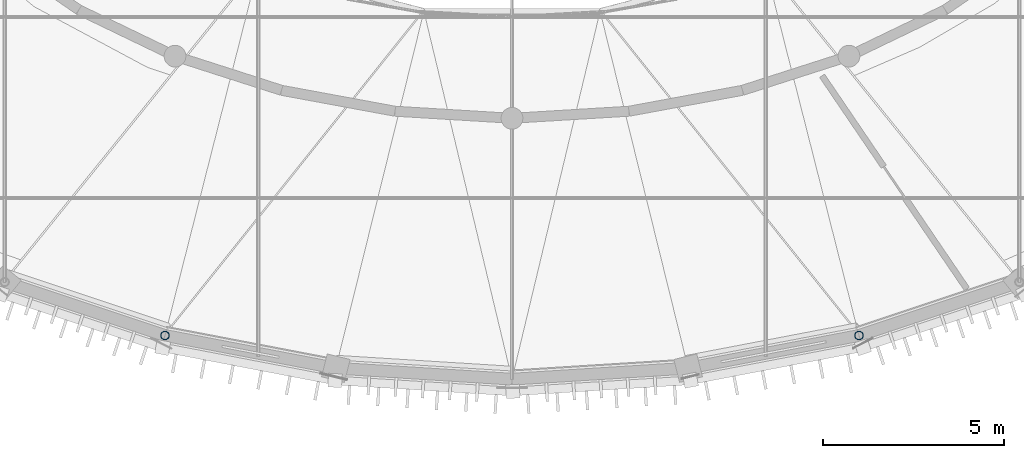
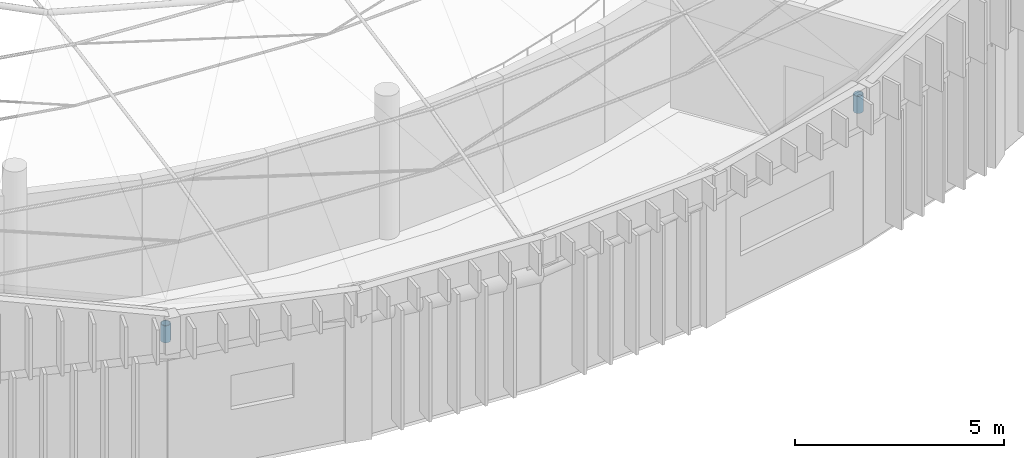
# One storey, part 16 of 36: 2 members.
"""IFC4 building model written with IfcOpenShell, lengths in metres."""

from ifc_helpers import new_model, si_unit, direction, frame, origin, origin_2d, place, context, subcontext, project, spatial, hollow_circle, extrude, material, material_profile, profile_set, type_object, element, save


model = new_model("IFC4")

# Units and contexts
model_context = context("Model", 3, precision=1e-05, world=origin(), true_north=direction((0.0, 1.0)))
body_context = subcontext(model_context, "Body", "Model", "MODEL_VIEW")
ifc_project = project(units=[si_unit("LENGTHUNIT", "METRE"), si_unit("AREAUNIT", "SQUARE_METRE"), si_unit("VOLUMEUNIT", "CUBIC_METRE"), si_unit("PLANEANGLEUNIT", "RADIAN"), si_unit("MASSUNIT", "GRAM", prefix="KILO")], contexts=[model_context])

# Site, building, storey
site_placement = place(None, origin())
site = spatial("IfcSite", under=ifc_project, at=site_placement, CompositionType="ELEMENT")
building_placement = place(site_placement, origin())
building = spatial("IfcBuilding", under=site, at=building_placement, Name="Tarnveldt Headland Concert Hall", CompositionType="ELEMENT")
storey_placement = place(building_placement, frame((0.0, 0.0, 22.800048828125)))
storey = spatial("IfcBuildingStorey", under=building, at=storey_placement, Name="L05", CompositionType="ELEMENT", Elevation=22.800048828125)

# Members
ifc_material = material(Name="Steel S355", Category="steel")
ifc_material_profile = material_profile(ifc_material, hollow_circle(Radius=0.122314453125, WallThickness=0.01611328125, at=origin_2d()), Name="CHS 244.5x16", Category="steel")
ifc_profile_set = profile_set([ifc_material_profile], Name="Steel S355")
member_type = type_object("IfcMemberType", Name="TR-CHORD244", PredefinedType="POST", material=ifc_profile_set)
for number, where, z_axis, x_axis, name in (
    (1, (73.92333984375, 35.7060546875, 3.849853515625), (0.0, 0.0, 1.0), (1.0, 0.0, 0.0), "Saddle ring pedestal strut 26"),
    (2, (93.07666015625, 35.7060546875, 3.849853515625), (0.0, 0.0, 1.0), (1.0, 0.0, 0.0), "Saddle ring pedestal strut 30"),
):
    element("IfcMember", number, at=place(storey_placement, frame(where, z_axis=z_axis, x_axis=x_axis)), inside=storey, type_object=member_type, Name=name, PredefinedType="POST", context=body_context, shape_type="SweptSolid", body=[
        extrude(hollow_circle(Radius=0.122314453125, WallThickness=0.01611328125, at=origin_2d()), origin(), (0.0, 0.0, 1.0), 0.49951171875),
    ])

save(model, "model.ifc")
